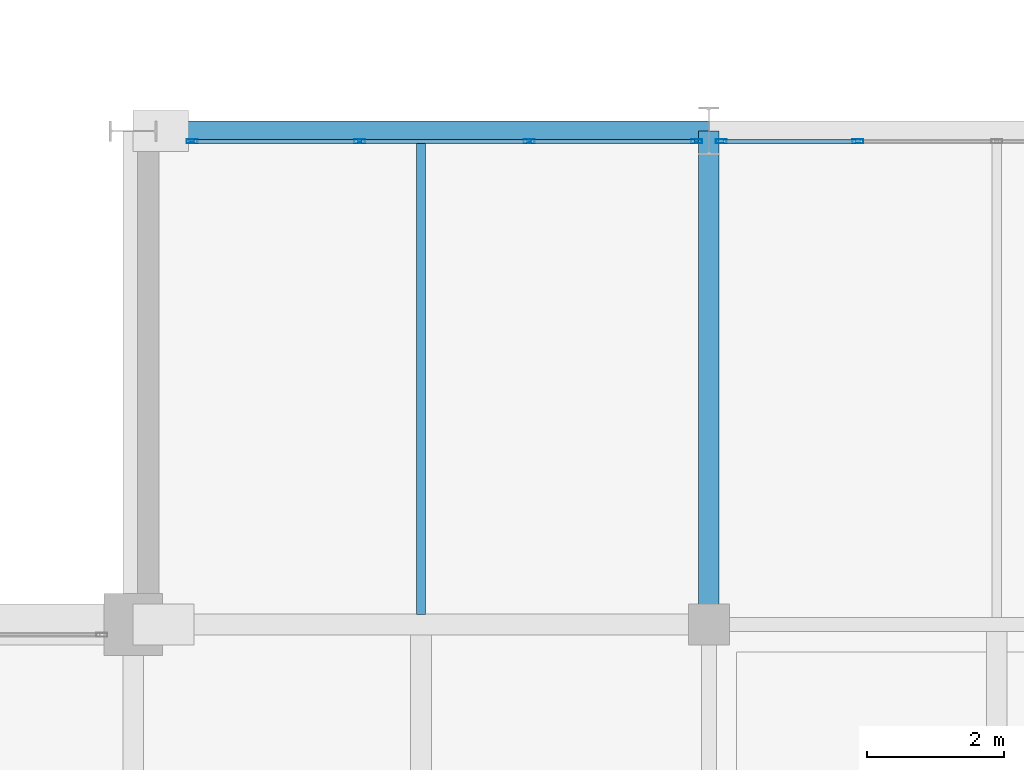
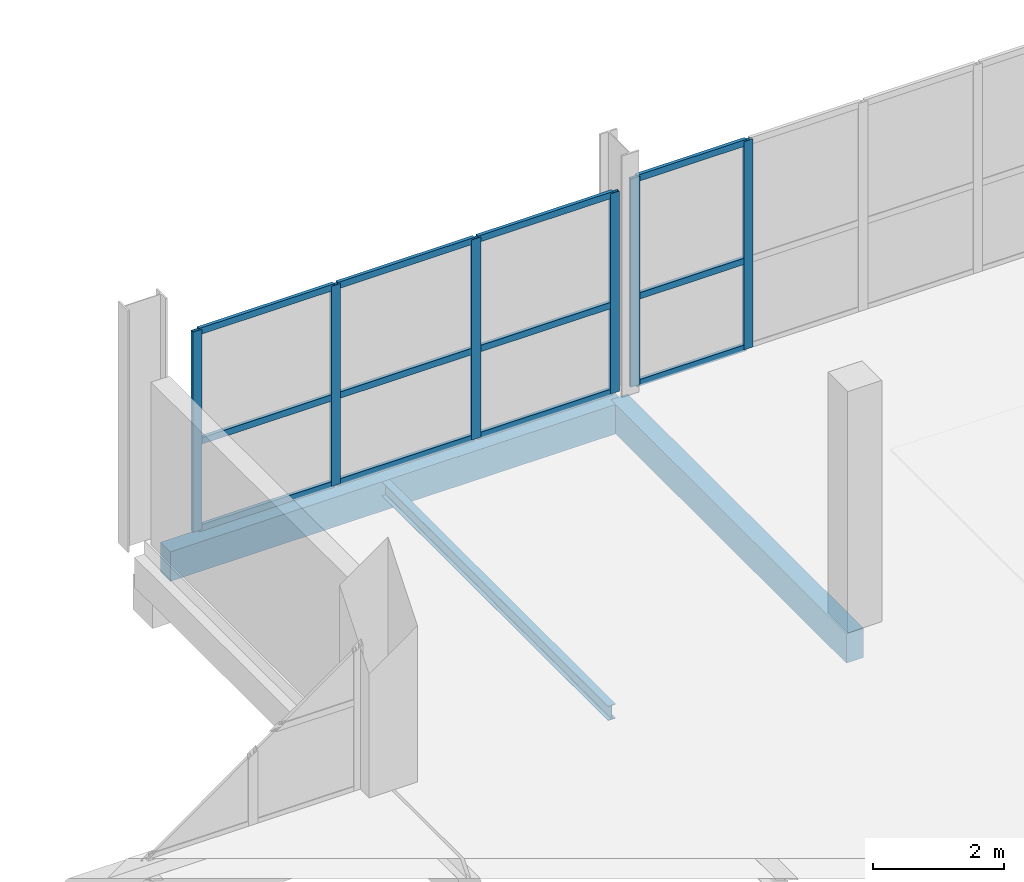
# One storey, part 39 of 113: 18 members, 3 beams, 2 elements without a shape of their own.
"""IFC4 building model written with IfcOpenShell, lengths in metres."""

from ifc_helpers import new_model, si_unit, direction, frame, origin, origin_2d, place, context, subcontext, project, spatial, rectangle, hollow_rectangle, i_section, extrude, material, material_profile, profile_set, type_object, element, aggregate, save


model = new_model("IFC4")

# Units and contexts
model_context = context("Model", 3, precision=1e-05, world=origin(), true_north=direction((0.0, 1.0)))
body_context = subcontext(model_context, "Body", "Model", "MODEL_VIEW")
ifc_project = project(units=[si_unit("LENGTHUNIT", "METRE"), si_unit("AREAUNIT", "SQUARE_METRE"), si_unit("VOLUMEUNIT", "CUBIC_METRE"), si_unit("PLANEANGLEUNIT", "RADIAN"), si_unit("MASSUNIT", "GRAM", prefix="KILO")], contexts=[model_context])

# Site, building, storey
site_placement = place(None, origin())
site = spatial("IfcSite", under=ifc_project, at=site_placement, CompositionType="ELEMENT")
building_placement = place(site_placement, origin())
building = spatial("IfcBuilding", under=site, at=building_placement, Name="Veltarok Museum of Natural Sciences", CompositionType="ELEMENT")
storey_placement = place(building_placement, frame((0.0, 0.0, 8.39990234375)))
storey = spatial("IfcBuildingStorey", under=building, at=storey_placement, Name="L01", CompositionType="ELEMENT", Elevation=8.39990234375)

# Curtain wall, members
ifc_material_1 = material(Name="Low-iron triple insulated glass", Category="glass")
curtain_wall_type_1 = type_object("IfcCurtainWallType", Name="Curtain Wall System CW-V5CN-L01-3-742x373 (CW-V5CN L01 742x373cm)", PredefinedType="NOTDEFINED", material=ifc_material_1)
curtain_wall_1_placement = place(storey_placement, origin())
curtain_wall_1 = element("IfcCurtainWall", 1, at=curtain_wall_1_placement, inside=storey, type_object=curtain_wall_type_1, Name="Curtain Wall CW-V5CN-L01-3-742x373 CW-0187", PredefinedType="NOTDEFINED")
ifc_material_2 = material(Name="Thermally broken anodised aluminium", Category="aluminium")
ifc_material_profile_1 = material_profile(ifc_material_2, hollow_rectangle(XDim=0.06005859375, YDim=0.1201171875, WallThickness=0.0048828125, at=origin_2d()), Name="CW TRANSOM 60x120x5")
ifc_profile_set_1 = profile_set([ifc_material_profile_1], Name="Thermally broken anodised aluminium")
member_type_1 = type_object("IfcMemberType", Name="Curtain Wall Horizontal Transom 60x120x5", PredefinedType="USERDEFINED", material=ifc_profile_set_1)
member_1_placement = place(storey_placement, frame((115.389892578125, 26.25, 0.028076171875), z_axis=(-1.0, 0.0, 0.0), x_axis=(0.0, -1.0, 0.0)))
member_1 = element("IfcMember", 2, at=member_1_placement, type_object=member_type_1, Name="CW-V5CN-L01-3-742x373 transom 1.1", ObjectType="TRANSOM", PredefinedType="USERDEFINED", context=body_context, shape_type="SweptSolid", body=[
    extrude(hollow_rectangle(XDim=0.06005859375, YDim=0.1201171875, WallThickness=0.0048828125, at=origin_2d()), origin(), (0.0, 0.0, 1.0), 2.38330078125),
])
member_2_placement = place(storey_placement, frame((115.389892578125, 26.25, 1.648193359375), z_axis=(-1.0, 0.0, 0.0), x_axis=(0.0, -1.0, 0.0)))
member_2 = element("IfcMember", 3, at=member_2_placement, type_object=member_type_1, Name="CW-V5CN-L01-3-742x373 transom 1.2", ObjectType="TRANSOM", PredefinedType="USERDEFINED", context=body_context, shape_type="SweptSolid", body=[
    extrude(hollow_rectangle(XDim=0.06005859375, YDim=0.1201171875, WallThickness=0.0048828125, at=origin_2d()), origin(), (0.0, 0.0, 1.0), 2.38330078125),
])
member_3_placement = place(storey_placement, frame((115.389892578125, 26.25, 3.7001953125), z_axis=(-1.0, 0.0, 0.0), x_axis=(0.0, -1.0, 0.0)))
member_3 = element("IfcMember", 4, at=member_3_placement, type_object=member_type_1, Name="CW-V5CN-L01-3-742x373 transom 1.3", ObjectType="TRANSOM", PredefinedType="USERDEFINED", context=body_context, shape_type="SweptSolid", body=[
    extrude(hollow_rectangle(XDim=0.06005859375, YDim=0.1201171875, WallThickness=0.0048828125, at=origin_2d()), origin(), (0.0, 0.0, 1.0), 2.38330078125),
])
member_4_placement = place(storey_placement, frame((112.94677734375, 26.25, 0.028076171875), z_axis=(-1.0, 0.0, 0.0), x_axis=(0.0, -1.0, 0.0)))
member_4 = element("IfcMember", 5, at=member_4_placement, type_object=member_type_1, Name="CW-V5CN-L01-3-742x373 transom 2.1", ObjectType="TRANSOM", PredefinedType="USERDEFINED", context=body_context, shape_type="SweptSolid", body=[
    extrude(hollow_rectangle(XDim=0.06005859375, YDim=0.1201171875, WallThickness=0.0048828125, at=origin_2d()), origin(), (0.0, 0.0, 1.0), 2.413330078125),
])
member_5_placement = place(storey_placement, frame((112.94677734375, 26.25, 1.648193359375), z_axis=(-1.0, 0.0, 0.0), x_axis=(0.0, -1.0, 0.0)))
member_5 = element("IfcMember", 6, at=member_5_placement, type_object=member_type_1, Name="CW-V5CN-L01-3-742x373 transom 2.2", ObjectType="TRANSOM", PredefinedType="USERDEFINED", context=body_context, shape_type="SweptSolid", body=[
    extrude(hollow_rectangle(XDim=0.06005859375, YDim=0.1201171875, WallThickness=0.0048828125, at=origin_2d()), origin(), (0.0, 0.0, 1.0), 2.413330078125),
])
member_6_placement = place(storey_placement, frame((112.94677734375, 26.25, 3.7001953125), z_axis=(-1.0, 0.0, 0.0), x_axis=(0.0, -1.0, 0.0)))
member_6 = element("IfcMember", 7, at=member_6_placement, type_object=member_type_1, Name="CW-V5CN-L01-3-742x373 transom 2.3", ObjectType="TRANSOM", PredefinedType="USERDEFINED", context=body_context, shape_type="SweptSolid", body=[
    extrude(hollow_rectangle(XDim=0.06005859375, YDim=0.1201171875, WallThickness=0.0048828125, at=origin_2d()), origin(), (0.0, 0.0, 1.0), 2.413330078125),
])
member_7_placement = place(storey_placement, frame((110.473388671875, 26.25, 0.028076171875), z_axis=(-1.0, 0.0, 0.0), x_axis=(0.0, -1.0, 0.0)))
member_7 = element("IfcMember", 8, at=member_7_placement, type_object=member_type_1, Name="CW-V5CN-L01-3-742x373 transom 3.1", ObjectType="TRANSOM", PredefinedType="USERDEFINED", context=body_context, shape_type="SweptSolid", body=[
    extrude(hollow_rectangle(XDim=0.06005859375, YDim=0.1201171875, WallThickness=0.0048828125, at=origin_2d()), origin(), (0.0, 0.0, 1.0), 2.38330078125),
])
member_8_placement = place(storey_placement, frame((110.473388671875, 26.25, 1.648193359375), z_axis=(-1.0, 0.0, 0.0), x_axis=(0.0, -1.0, 0.0)))
member_8 = element("IfcMember", 9, at=member_8_placement, type_object=member_type_1, Name="CW-V5CN-L01-3-742x373 transom 3.2", ObjectType="TRANSOM", PredefinedType="USERDEFINED", context=body_context, shape_type="SweptSolid", body=[
    extrude(hollow_rectangle(XDim=0.06005859375, YDim=0.1201171875, WallThickness=0.0048828125, at=origin_2d()), origin(), (0.0, 0.0, 1.0), 2.38330078125),
])
member_9_placement = place(storey_placement, frame((110.473388671875, 26.25, 3.7001953125), z_axis=(-1.0, 0.0, 0.0), x_axis=(0.0, -1.0, 0.0)))
member_9 = element("IfcMember", 10, at=member_9_placement, type_object=member_type_1, Name="CW-V5CN-L01-3-742x373 transom 3.3", ObjectType="TRANSOM", PredefinedType="USERDEFINED", context=body_context, shape_type="SweptSolid", body=[
    extrude(hollow_rectangle(XDim=0.06005859375, YDim=0.1201171875, WallThickness=0.0048828125, at=origin_2d()), origin(), (0.0, 0.0, 1.0), 2.38330078125),
])

curtain_wall_type_2 = type_object("IfcCurtainWallType", Name="Curtain Wall System CW-V5CN-L01-0-810x388 (CW-V5CN L01 810x388cm)", PredefinedType="NOTDEFINED", material=ifc_material_1)
curtain_wall_2_placement = place(storey_placement, origin())
curtain_wall_2 = element("IfcCurtainWall", 11, at=curtain_wall_2_placement, inside=storey, type_object=curtain_wall_type_2, Name="Curtain Wall CW-V5CN-L01-0-810x388 CW-0188", PredefinedType="NOTDEFINED")
member_10_placement = place(storey_placement, frame((117.7451171875, 26.25, 0.028076171875), z_axis=(-1.0, 0.0, 0.0), x_axis=(0.0, -1.0, 0.0)))
member_10 = element("IfcMember", 12, at=member_10_placement, type_object=member_type_1, Name="CW-V5CN-L01-0-810x388 transom 4.1", ObjectType="TRANSOM", PredefinedType="USERDEFINED", context=body_context, shape_type="SweptSolid", body=[
    extrude(hollow_rectangle(XDim=0.06005859375, YDim=0.1201171875, WallThickness=0.0048828125, at=origin_2d()), origin(), (0.0, 0.0, 1.0), 1.93505859375),
])
member_11_placement = place(storey_placement, frame((117.7451171875, 26.25, 1.648193359375), z_axis=(-1.0, 0.0, 0.0), x_axis=(0.0, -1.0, 0.0)))
member_11 = element("IfcMember", 13, at=member_11_placement, type_object=member_type_1, Name="CW-V5CN-L01-0-810x388 transom 4.2", ObjectType="TRANSOM", PredefinedType="USERDEFINED", context=body_context, shape_type="SweptSolid", body=[
    extrude(hollow_rectangle(XDim=0.06005859375, YDim=0.1201171875, WallThickness=0.0048828125, at=origin_2d()), origin(), (0.0, 0.0, 1.0), 1.93505859375),
])
member_12_placement = place(storey_placement, frame((117.7451171875, 26.25, 3.85009765625), z_axis=(-1.0, 0.0, 0.0), x_axis=(0.0, -1.0, 0.0)))
member_12 = element("IfcMember", 14, at=member_12_placement, type_object=member_type_1, Name="CW-V5CN-L01-0-810x388 transom 4.3", ObjectType="TRANSOM", PredefinedType="USERDEFINED", context=body_context, shape_type="SweptSolid", body=[
    extrude(hollow_rectangle(XDim=0.06005859375, YDim=0.1201171875, WallThickness=0.0048828125, at=origin_2d()), origin(), (0.0, 0.0, 1.0), 1.93505859375),
])

# Member
ifc_material_profile_2 = material_profile(ifc_material_2, hollow_rectangle(XDim=0.06005859375, YDim=0.159912109375, WallThickness=0.0048828125, at=origin_2d()), Name="CW MULLION 60x160x5")
ifc_profile_set_2 = profile_set([ifc_material_profile_2], Name="Thermally broken anodised aluminium")
member_type_2 = type_object("IfcMemberType", Name="Curtain Wall Vertical Mullion 60x160x5", PredefinedType="MULLION", material=ifc_profile_set_2)
member_13_placement = place(storey_placement, frame((115.419921875, 26.25, -0.001953125), z_axis=(0.0, 0.0, 1.0), x_axis=(0.0, -1.0, 0.0)))
member_13 = element("IfcMember", 15, at=member_13_placement, type_object=member_type_2, Name="CW-V5CN-L01-3-742x373 mullion 1", PredefinedType="MULLION", context=body_context, shape_type="SweptSolid", body=[
    extrude(hollow_rectangle(XDim=0.06005859375, YDim=0.159912109375, WallThickness=0.0048828125, at=origin_2d()), origin(), (0.0, 0.0, 1.0), 3.73193359375),
])

member_14_placement = place(storey_placement, frame((112.9765625, 26.25, -0.001953125), z_axis=(0.0, 0.0, 1.0), x_axis=(0.0, -1.0, 0.0)))
member_14 = element("IfcMember", 16, at=member_14_placement, type_object=member_type_2, Name="CW-V5CN-L01-3-742x373 mullion 2", PredefinedType="MULLION", context=body_context, shape_type="SweptSolid", body=[
    extrude(hollow_rectangle(XDim=0.06005859375, YDim=0.159912109375, WallThickness=0.0048828125, at=origin_2d()), origin(), (0.0, 0.0, 1.0), 3.73193359375),
])

member_15_placement = place(storey_placement, frame((110.50341796875, 26.25, -0.001953125), z_axis=(0.0, 0.0, 1.0), x_axis=(0.0, -1.0, 0.0)))
member_15 = element("IfcMember", 17, at=member_15_placement, type_object=member_type_2, Name="CW-V5CN-L01-3-742x373 mullion 3", PredefinedType="MULLION", context=body_context, shape_type="SweptSolid", body=[
    extrude(hollow_rectangle(XDim=0.06005859375, YDim=0.159912109375, WallThickness=0.0048828125, at=origin_2d()), origin(), (0.0, 0.0, 1.0), 3.73193359375),
])

member_16_placement = place(storey_placement, frame((108.06005859375, 26.25, -0.001953125), z_axis=(0.0, 0.0, 1.0), x_axis=(0.0, -1.0, 0.0)))
member_16 = element("IfcMember", 18, at=member_16_placement, type_object=member_type_2, Name="CW-V5CN-L01-3-742x373 mullion 4", PredefinedType="MULLION", context=body_context, shape_type="SweptSolid", body=[
    extrude(hollow_rectangle(XDim=0.06005859375, YDim=0.159912109375, WallThickness=0.0048828125, at=origin_2d()), origin(), (0.0, 0.0, 1.0), 3.73193359375),
])

aggregate(curtain_wall_1, [member_13, member_14, member_15, member_16, member_1, member_2, member_3, member_4, member_5, member_6, member_7, member_8, member_9])

member_17_placement = place(storey_placement, frame((117.77490234375, 26.25, -0.001953125), z_axis=(0.0, 0.0, 1.0), x_axis=(0.0, -1.0, 0.0)))
member_17 = element("IfcMember", 19, at=member_17_placement, type_object=member_type_2, Name="CW-V5CN-L01-0-810x388 mullion 4", PredefinedType="MULLION", context=body_context, shape_type="SweptSolid", body=[
    extrude(hollow_rectangle(XDim=0.06005859375, YDim=0.159912109375, WallThickness=0.0048828125, at=origin_2d()), origin(), (0.0, 0.0, 1.0), 3.882080078125),
])

member_18_placement = place(storey_placement, frame((115.780029296875, 26.25, -0.001953125), z_axis=(0.0, 0.0, 1.0), x_axis=(0.0, -1.0, 0.0)))
member_18 = element("IfcMember", 20, at=member_18_placement, type_object=member_type_2, Name="CW-V5CN-L01-0-810x388 mullion 5", PredefinedType="MULLION", context=body_context, shape_type="SweptSolid", body=[
    extrude(hollow_rectangle(XDim=0.06005859375, YDim=0.159912109375, WallThickness=0.0048828125, at=origin_2d()), origin(), (0.0, 0.0, 1.0), 3.882080078125),
])

aggregate(curtain_wall_2, [member_17, member_18, member_10, member_11, member_12])

# Beams
ifc_material_3 = material(Name="Precast concrete C40/50", Category="concrete")
ifc_material_profile_3 = material_profile(ifc_material_3, rectangle(XDim=0.300048828125, YDim=0.550048828125, at=origin_2d()), Name="RC 300x550")
ifc_profile_set_3 = profile_set([ifc_material_profile_3], Name="Precast concrete C40/50")
beam_type_1 = type_object("IfcBeamType", Name="East Wing Precast Spandrel RC 300x550", PredefinedType="SPANDREL", material=ifc_profile_set_3)
beam_1_placement = place(storey_placement, frame((107.60009765625, 26.39990234375, -0.52490234375), z_axis=(1.0, 0.0, 0.0), x_axis=(0.0, 1.0, 0.0)))
element("IfcBeam", 21, at=beam_1_placement, inside=storey, type_object=beam_type_1, Name="Beam BM-SP02 L01 13-14/D", PredefinedType="SPANDREL", context=body_context, shape_type="SweptSolid", body=[
    extrude(rectangle(XDim=0.300048828125, YDim=0.550048828125, at=origin_2d()), origin(), (0.0, 0.0, 1.0), 8.0),
])
beam_2_placement = place(storey_placement, frame((115.60009765625, 19.199951171875, -0.52490234375), z_axis=(0.0, 1.0, 0.0), x_axis=(-1.0, 0.0, 0.0)))
element("IfcBeam", 22, at=beam_2_placement, inside=storey, type_object=beam_type_1, Name="Beam BM-SP02 L01 14/C-D", PredefinedType="SPANDREL", context=body_context, shape_type="SweptSolid", body=[
    extrude(rectangle(XDim=0.300048828125, YDim=0.550048828125, at=origin_2d()), origin(), (0.0, 0.0, 1.0), 7.199951171875),
])
ifc_material_4 = material(Name="Steel S355J2", Category="steel")
ifc_material_profile_4 = material_profile(ifc_material_4, i_section(OverallWidth=0.135009765625, OverallDepth=0.27001953125, WebThickness=0.006591796875, FlangeThickness=0.01025390625, FilletRadius=0.014892578125, at=origin_2d()), Name="IPE 270")
ifc_profile_set_4 = profile_set([ifc_material_profile_4], Name="Steel S355J2")
beam_type_2 = type_object("IfcBeamType", Name="Short-Bay Composite Joist IPE 270", PredefinedType="JOIST", material=ifc_profile_set_4)
beam_3_placement = place(storey_placement, frame((111.39990234375, 19.347900390625, -0.385009765625), z_axis=(0.0, 1.0, 0.0), x_axis=(-1.0, 0.0, 0.0)))
element("IfcBeam", 23, at=beam_3_placement, inside=storey, type_object=beam_type_2, Name="Secondary Joist BM-J04 L01 13-14/C-D.1", PredefinedType="JOIST", context=body_context, shape_type="SweptSolid", body=[
    extrude(i_section(OverallWidth=0.135009765625, OverallDepth=0.27001953125, WebThickness=0.006591796875, FlangeThickness=0.01025390625, FilletRadius=0.014892578125, at=origin_2d()), origin(), (0.0, 0.0, 1.0), 6.904052734375),
])

save(model, "model.ifc")
